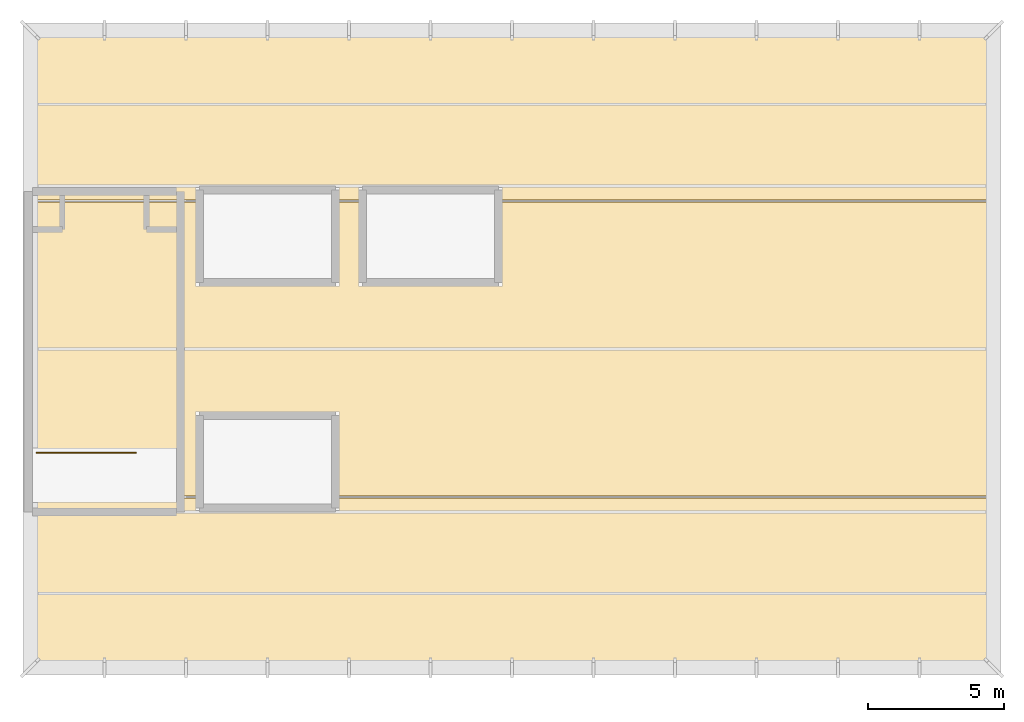
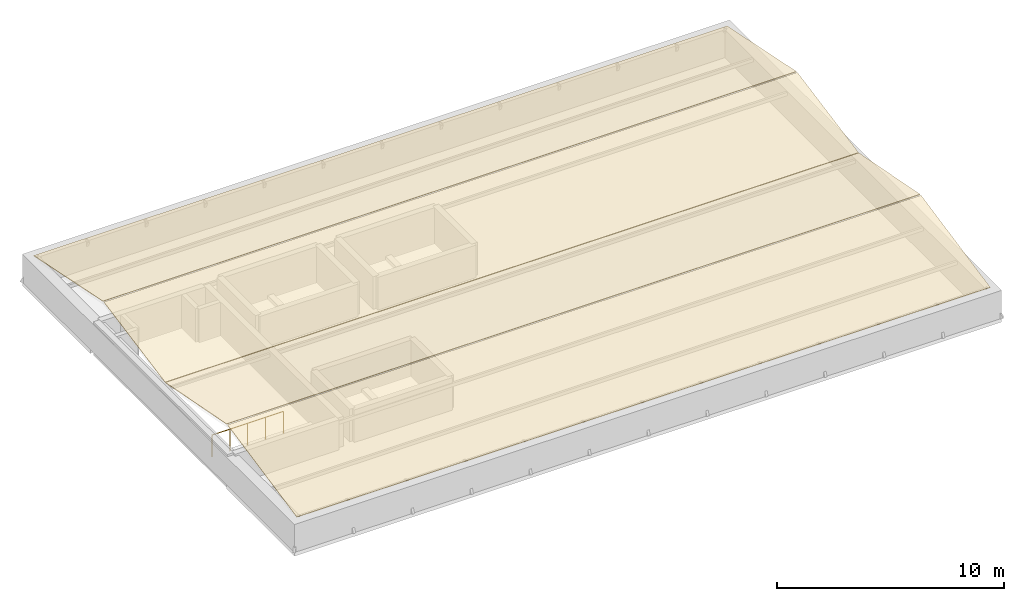
# One storey, part 2 of 2: 4 coverings, 1 railing.
"""IFC4 building model written with IfcOpenShell, lengths in metres."""

from ifc_helpers import new_model, si_unit, direction, frame, origin, origin_2d, place, context, subcontext, project, spatial, polyline, circle, outline, extrude, material, layer, layer_set, type_object, element, save


model = new_model("IFC4")

# Units and contexts
model_context = context("Model", 3, precision=1e-05, world=origin(), true_north=direction((0.0, 1.0)))
body_context = subcontext(model_context, "Body", "Model", "MODEL_VIEW")
ifc_project = project(units=[si_unit("LENGTHUNIT", "METRE"), si_unit("AREAUNIT", "SQUARE_METRE"), si_unit("VOLUMEUNIT", "CUBIC_METRE"), si_unit("PLANEANGLEUNIT", "RADIAN"), si_unit("MASSUNIT", "GRAM", prefix="KILO")], contexts=[model_context])

# Site, building, storey
site_placement = place(None, origin())
site = spatial("IfcSite", under=ifc_project, at=site_placement, CompositionType="ELEMENT")
building_placement = place(site_placement, origin())
building = spatial("IfcBuilding", under=site, at=building_placement, Name="Zlatovratsky Civic Hall", CompositionType="ELEMENT")
storey_placement = place(building_placement, frame((0.0, 0.0, 76.5)))
storey = spatial("IfcBuildingStorey", under=building, at=storey_placement, Name="ROOF", CompositionType="ELEMENT", Elevation=76.5)

# Coverings
ifc_material_1 = material(Name="Standing-seam patinated copper roofing")
ifc_layer = layer(ifc_material_1, 0.030029296875)
ifc_layer_set = layer_set([ifc_layer], Name="Standing-seam patinated copper roofing")
covering_type = type_object("IfcCoveringType", Name="Covering_CopperMansardRoofing", PredefinedType="ROOFING", material=ifc_layer_set)
for number, where, z_axis, x_axis, name in (
    (1, (66.35009765625, 78.39990234375, 1.550048828125), (0.0, -0.200427832369, 0.979708468888), (1.0, 0.0, 0.0), "RFG-L18"),
    (2, (101.64990234375, 101.60009765625, 1.550048828125), (0.0, 0.200427832369, 0.979708468888), (-1.0, 0.0, 0.0), "RFG-L18-2"),
):
    element("IfcCovering", number, at=place(storey_placement, frame(where, z_axis=z_axis, x_axis=x_axis)), inside=storey, type_object=covering_type, Name=name, PredefinedType="ROOFING", context=body_context, shape_type="SweptSolid", body=[
        extrude(outline(polyline([(0.0, 0.0), (35.2998046875, 0.0), (35.2998046875, 6.236658777490713), (0.0, 6.236658777490713), (0.0, 0.0)])), origin(), (0.0, 0.0, -1.0), 0.030029296875),
    ])
for number, where, z_axis, x_axis, name in (
    (3, (101.64990234375, 84.590087890625, 2.800048828125), (0.0, 0.189127315634, 0.981952574456), (-1.0, 0.0, 0.0), "RFG-L18-3"),
    (4, (66.35009765625, 95.409912109375, 2.800048828125), (0.0, -0.189127315634, 0.981952574456), (1.0, 0.0, 0.0), "RFG-L18-4"),
):
    element("IfcCovering", number, at=place(storey_placement, frame(where, z_axis=z_axis, x_axis=x_axis)), inside=storey, type_object=covering_type, Name=name, PredefinedType="ROOFING", context=body_context, shape_type="SweptSolid", body=[
        extrude(outline(polyline([(0.0, 0.0), (35.2998046875, 0.0), (35.2998046875, -5.499147804302283), (0.0, -5.499147804302283), (0.0, 0.0)])), origin(), (0.0, 0.0, -1.0), 0.030029296875),
    ])

# Railing
ifc_material_2 = material(Name="Brushed stainless steel AISI 304", Category="steel")
railing_type = type_object("IfcRailingType", Name="Railing_Guardrail_1200", PredefinedType="GUARDRAIL", material=ifc_material_2)
railing_placement = place(storey_placement, frame((66.52001953125, 86.179931640625, 0.0)))
element("IfcRailing", 5, at=railing_placement, inside=storey, type_object=railing_type, Name="RL-0576", PredefinedType="GUARDRAIL", context=body_context, shape_type="SweptSolid", body=[
    extrude(circle(Radius=0.02392578125, at=origin_2d()), frame((0.0, 0.0, 1.17578125), z_axis=(1.0, 0.0, 0.0), x_axis=(0.0, 1.0, 0.0)), (0.0, 0.0, 1.0), 3.639892578125),
    extrude(circle(Radius=0.02099609375, at=origin_2d()), origin(), (0.0, 0.0, 1.0), 1.15185546875),
    extrude(circle(Radius=0.02099609375, at=origin_2d()), frame((0.909912109375, 0.0, 0.0)), (0.0, 0.0, 1.0), 1.15185546875),
    extrude(circle(Radius=0.02099609375, at=origin_2d()), frame((1.81982421875, 0.0, 0.0)), (0.0, 0.0, 1.0), 1.15185546875),
    extrude(circle(Radius=0.02099609375, at=origin_2d()), frame((2.72998046875, 0.0, 0.0)), (0.0, 0.0, 1.0), 1.15185546875),
    extrude(circle(Radius=0.02099609375, at=origin_2d()), frame((3.639892578125, 0.0, 0.0)), (0.0, 0.0, 1.0), 1.15185546875),
])

save(model, "model.ifc")
